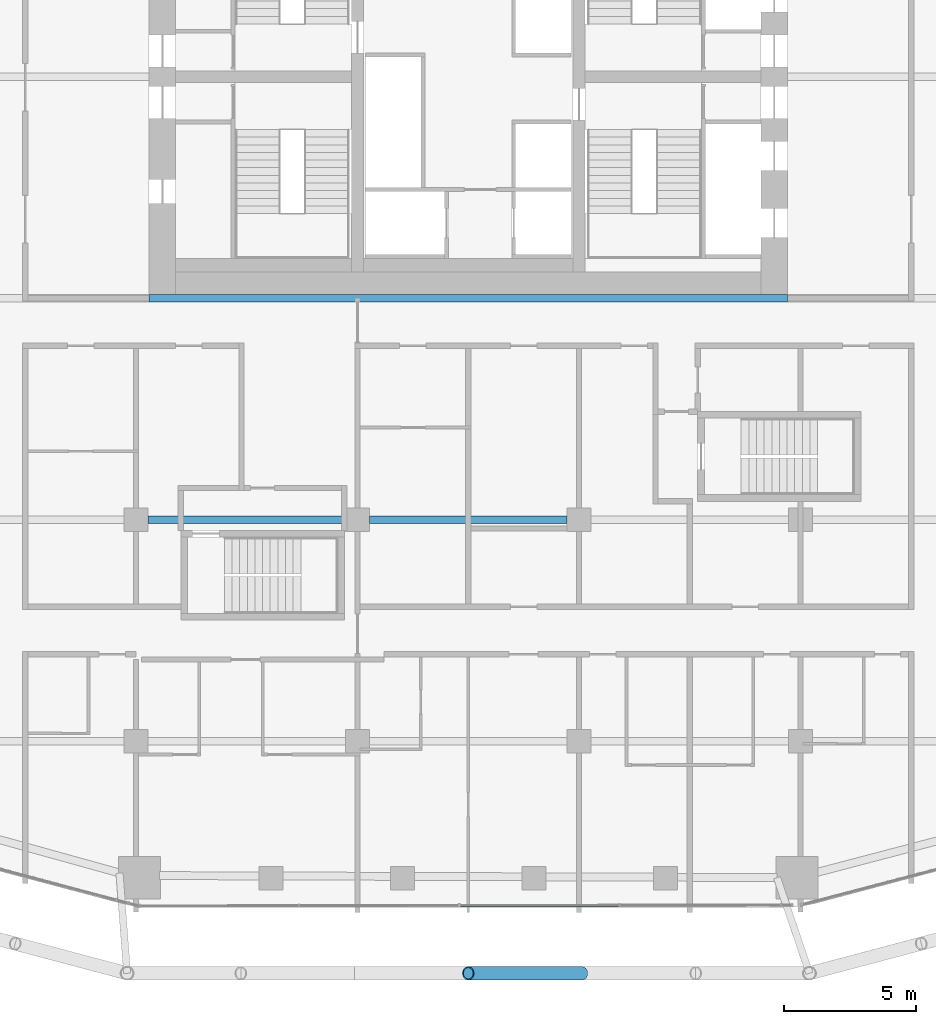
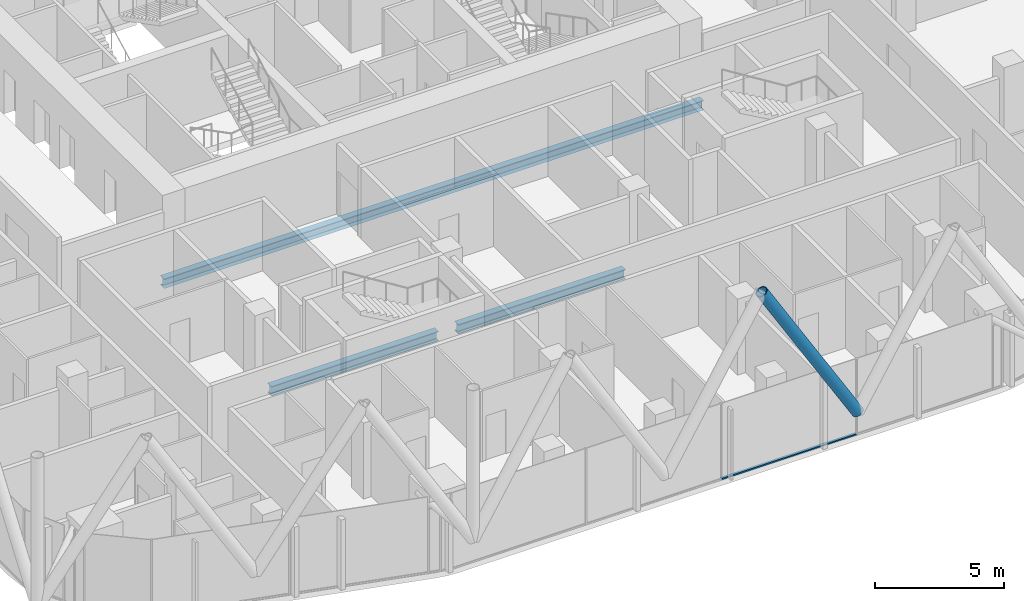
# One storey, part 5 of 33: 3 beams, 2 members, 1 element without a shape of its own.
"""IFC4 building model written with IfcOpenShell, lengths in metres."""

from ifc_helpers import new_model, si_unit, direction, frame, origin, origin_2d, place, context, subcontext, project, spatial, rectangle, hollow_circle, i_section, extrude, material, layer, layer_set, material_profile, profile_set, type_object, element, aggregate, save


model = new_model("IFC4")

# Units and contexts
model_context = context("Model", 3, precision=1e-05, world=origin(), true_north=direction((0.0, 1.0)))
body_context = subcontext(model_context, "Body", "Model", "MODEL_VIEW")
ifc_project = project(units=[si_unit("LENGTHUNIT", "METRE"), si_unit("AREAUNIT", "SQUARE_METRE"), si_unit("VOLUMEUNIT", "CUBIC_METRE"), si_unit("PLANEANGLEUNIT", "RADIAN"), si_unit("MASSUNIT", "GRAM", prefix="KILO")], contexts=[model_context])

# Site, building, storey
site_placement = place(None, origin())
site = spatial("IfcSite", under=ifc_project, at=site_placement, CompositionType="ELEMENT")
building_placement = place(site_placement, origin())
building = spatial("IfcBuilding", under=site, at=building_placement, Name="Marenta Gate Hotel Tower", CompositionType="ELEMENT")
storey_placement = place(building_placement, frame((0.0, 0.0, 151.699951171875)))
storey = spatial("IfcBuildingStorey", under=building, at=storey_placement, Name="L35", CompositionType="ELEMENT", Elevation=151.699951171875)

# Member
ifc_material_1 = material(Name="Steel S355J2W", Category="steel")
ifc_material_profile_1 = material_profile(ifc_material_1, hollow_circle(Radius=0.25390625, WallThickness=0.0400390625, at=origin_2d()), Name="CHS 508x40")
ifc_profile_set_1 = profile_set([ifc_material_profile_1], Name="Steel S355J2W")
member_type_1 = type_object("IfcMemberType", Name="Diagrid diagonal Z2 CHS 508x40", PredefinedType="BRACE", material=ifc_profile_set_1)
member_1_placement = place(storey_placement, frame((4.31298828125, -25.60009765625, 3.14013671875), z_axis=(-0.513883902774, 0.0, 0.857859740558), x_axis=(0.0, -1.0, 0.0)))
element("IfcMember", 1, at=member_1_placement, inside=storey, type_object=member_type_1, Name="L35-DG-17", PredefinedType="BRACE", context=body_context, shape_type="SweptSolid", body=[
    extrude(hollow_circle(Radius=0.25390625, WallThickness=0.0400390625, at=origin_2d()), origin(), (0.0, 0.0, 1.0), 8.392822265625),
])

# Beams
ifc_material_2 = material(Name="Steel S355", Category="steel")
ifc_material_profile_2 = material_profile(ifc_material_2, i_section(OverallWidth=0.300048828125, OverallDepth=0.449951171875, WebThickness=0.013916015625, FlangeThickness=0.02587890625, FilletRadius=0.027099609375, at=origin_2d()), Name="HEB 450")
ifc_profile_set_2 = profile_set([ifc_material_profile_2], Name="Steel S355")
beam_type = type_object("IfcBeamType", Name="Girder HEB 450", PredefinedType="BEAM", material=ifc_profile_set_2)
for number, where, z_axis, x_axis, name in (
    (2, (-12.14990234375, -8.39990234375, -0.48486328125), (1.0, 0.0, 0.0), (0.0, 1.0, 0.0), "L35-GD-10"),
    (3, (-3.75, -8.39990234375, -0.48486328125), (1.0, 0.0, 0.0), (0.0, 1.0, 0.0), "L35-GD-11"),
):
    element("IfcBeam", number, at=place(storey_placement, frame(where, z_axis=z_axis, x_axis=x_axis)), inside=storey, type_object=beam_type, Name=name, PredefinedType="BEAM", context=body_context, shape_type="SweptSolid", body=[
        extrude(i_section(OverallWidth=0.300048828125, OverallDepth=0.449951171875, WebThickness=0.013916015625, FlangeThickness=0.02587890625, FilletRadius=0.027099609375, at=origin_2d()), origin(), (0.0, 0.0, 1.0), 7.5),
    ])
beam_placement = place(storey_placement, frame((-12.10009765625, 0.0, -0.48486328125), z_axis=(1.0, 0.0, 0.0), x_axis=(0.0, 1.0, 0.0)))
element("IfcBeam", 4, at=beam_placement, inside=storey, type_object=beam_type, Name="L35-GD-17", PredefinedType="BEAM", context=body_context, shape_type="SweptSolid", body=[
    extrude(i_section(OverallWidth=0.300048828125, OverallDepth=0.449951171875, WebThickness=0.013916015625, FlangeThickness=0.02587890625, FilletRadius=0.027099609375, at=origin_2d()), origin(), (0.0, 0.0, 1.0), 24.2001953125),
])

# Curtain wall, member
ifc_material_3 = material(Name="Tinted insulated glass in bronze anodised frame", Category="glass")
ifc_layer = layer(ifc_material_3, 0.1201171875)
ifc_layer_set = layer_set([ifc_layer], Name="Tinted insulated glass in bronze anodised frame")
curtain_wall_type = type_object("IfcCurtainWallType", Name="Tower unitised curtain wall CW1", PredefinedType="NOTDEFINED", material=ifc_layer_set)
curtain_wall_placement = place(storey_placement, origin())
curtain_wall = element("IfcCurtainWall", 5, at=curtain_wall_placement, inside=storey, type_object=curtain_wall_type, Name="CW1 run G12", PredefinedType="NOTDEFINED")
ifc_material_4 = material(Name="Bronze anodised aluminium", Category="aluminium")
ifc_material_profile_3 = material_profile(ifc_material_4, rectangle(XDim=0.1201171875, YDim=0.06005859375, at=origin_2d()), Name="Transom CW1 60x120 bronze anodised aluminium")
ifc_profile_set_3 = profile_set([ifc_material_profile_3], Name="Bronze anodised aluminium")
member_type_2 = type_object("IfcMemberType", Name="Transom CW1 60x120 bronze anodised aluminium", PredefinedType="USERDEFINED", material=ifc_profile_set_3)
member_2_placement = place(storey_placement, frame((-0.31201171875, -23.03076171875, 0.030029296875), z_axis=(0.999999104975, 0.001337927041, 0.0), x_axis=(-0.001337927041, 0.999999104975, 0.0)))
member_2 = element("IfcMember", 6, at=member_2_placement, type_object=member_type_2, Name="CW1 transom 3.1", ObjectType="TRANSOM", PredefinedType="USERDEFINED", context=body_context, shape_type="SweptSolid", body=[
    extrude(rectangle(XDim=0.1201171875, YDim=0.06005859375, at=origin_2d()), origin(), (0.0, 0.0, 1.0), 6.021728515625),
])
aggregate(curtain_wall, [member_2])

save(model, "model.ifc")
